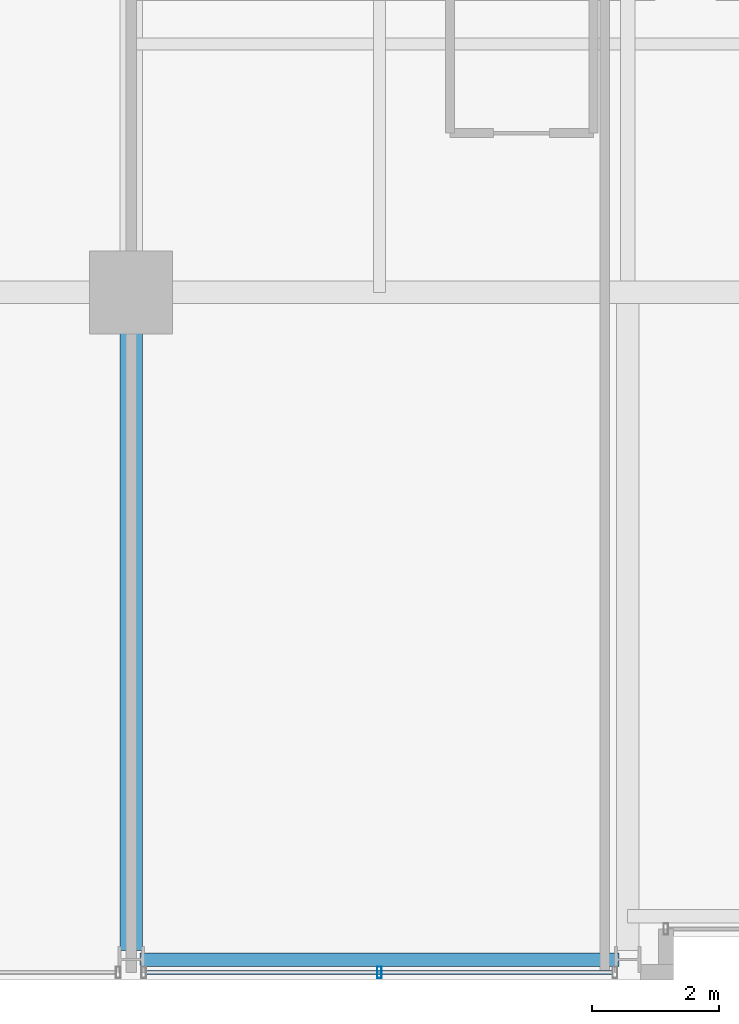
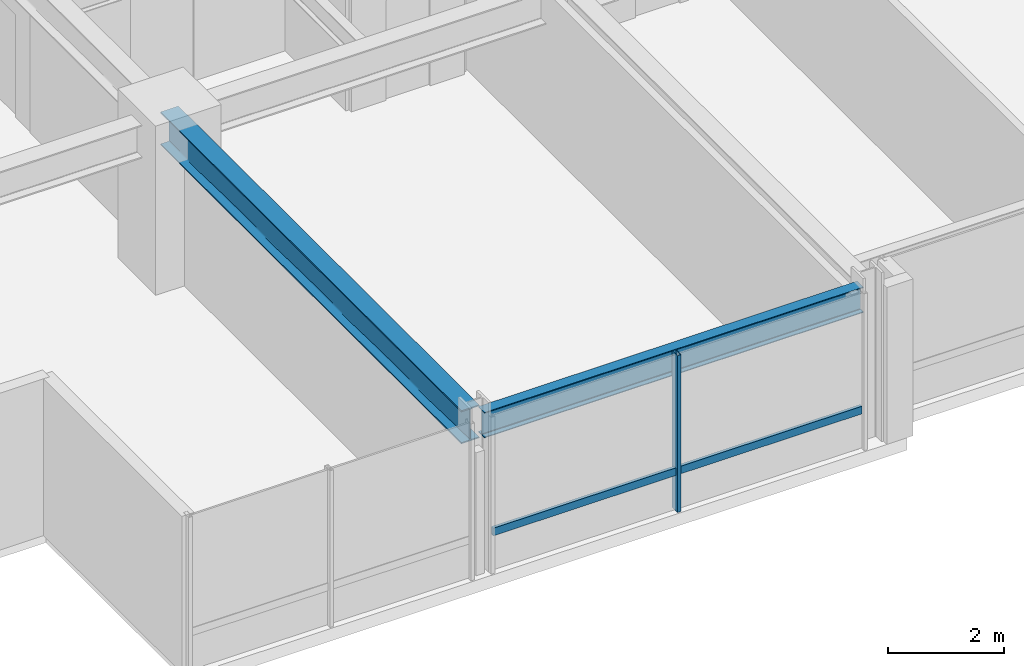
# One storey, part 3 of 34: 2 beams, 2 members, 1 element without a shape of its own.
"""IFC4 building model written with IfcOpenShell, lengths in metres."""

from ifc_helpers import new_model, si_unit, direction, frame, origin, origin_2d, place, context, subcontext, project, spatial, hollow_rectangle, i_section, extrude, material, layer, layer_set, material_profile, profile_set, type_object, element, aggregate, save


model = new_model("IFC4")

# Units and contexts
model_context = context("Model", 3, precision=1e-05, world=origin(), true_north=direction((0.0, 1.0)))
body_context = subcontext(model_context, "Body", "Model", "MODEL_VIEW")
ifc_project = project(units=[si_unit("LENGTHUNIT", "METRE"), si_unit("AREAUNIT", "SQUARE_METRE"), si_unit("VOLUMEUNIT", "CUBIC_METRE"), si_unit("PLANEANGLEUNIT", "RADIAN"), si_unit("MASSUNIT", "GRAM", prefix="KILO")], contexts=[model_context])

# Site, building, storey
site_placement = place(None, origin())
site = spatial("IfcSite", under=ifc_project, at=site_placement, CompositionType="ELEMENT")
building_placement = place(site_placement, origin())
building = spatial("IfcBuilding", under=site, at=building_placement, Name="Drelvath Grand Hotel", CompositionType="ELEMENT")
storey_placement = place(building_placement, frame((0.0, 0.0, 175.25)))
storey = spatial("IfcBuildingStorey", under=building, at=storey_placement, Name="L45", CompositionType="ELEMENT", Elevation=175.25)

# Curtain wall, members
ifc_material_1 = material(Name="Brushed Pale-Silver Anodised Aluminium Frame", Category="aluminium")
ifc_layer = layer(ifc_material_1, 0.199951171875)
ifc_layer_set = layer_set([ifc_layer], Name="Brushed Pale-Silver Anodised Aluminium Frame")
curtain_wall_type = type_object("IfcCurtainWallType", Name="Stick Curtain Wall CW-04 Brushed Silver Upper-Mid", PredefinedType="NOTDEFINED", material=ifc_layer_set)
curtain_wall_placement = place(storey_placement, origin())
curtain_wall = element("IfcCurtainWall", 1, at=curtain_wall_placement, inside=storey, type_object=curtain_wall_type, Name="L45 CW-04 Curtain Wall CW04-L45-SW2", PredefinedType="NOTDEFINED")
ifc_material_profile_1 = material_profile(ifc_material_1, hollow_rectangle(XDim=0.06494140625, YDim=0.159912109375, WallThickness=0.00390625, at=origin_2d()), Name="HSS160X65X4")
ifc_profile_set_1 = profile_set([ifc_material_profile_1], Name="Brushed Pale-Silver Anodised Aluminium Frame")
member_type_1 = type_object("IfcMemberType", Name="Curtain Wall Horizontal Transom CW-04 HSS160X65X4", PredefinedType="USERDEFINED", material=ifc_profile_set_1)
member_1_placement = place(storey_placement, frame((-8.64013671875, 0.1201171875, 0.822509765625), z_axis=(-1.0, 0.0, 0.0), x_axis=(0.0, -1.0, 0.0)))
member_1 = element("IfcMember", 2, at=member_1_placement, type_object=member_type_1, Name="CW04-L45-SW2 Sill Transom", ObjectType="TRANSOM", PredefinedType="USERDEFINED", context=body_context, shape_type="SweptSolid", body=[
    extrude(hollow_rectangle(XDim=0.06494140625, YDim=0.159912109375, WallThickness=0.00390625, at=origin_2d()), origin(), (0.0, 0.0, 1.0), 7.31982421875),
])
ifc_material_profile_2 = material_profile(ifc_material_1, hollow_rectangle(XDim=0.074951171875, YDim=0.179931640625, WallThickness=0.0048828125, at=origin_2d()), Name="HSS180X75X5")
ifc_profile_set_2 = profile_set([ifc_material_profile_2], Name="Brushed Pale-Silver Anodised Aluminium Frame")
member_type_2 = type_object("IfcMemberType", Name="Curtain Wall Vertical Mullion CW-04 HSS180X75X5", PredefinedType="MULLION", material=ifc_profile_set_2)
member_2_placement = place(storey_placement, frame((-12.300048828125, 0.1201171875, 0.0), z_axis=(0.0, 0.0, 1.0), x_axis=(1.0, 0.0, 0.0)))
member_2 = element("IfcMember", 3, at=member_2_placement, type_object=member_type_2, Name="CW04-L45-SW2 Mullion 2", PredefinedType="MULLION", context=body_context, shape_type="SweptSolid", body=[
    extrude(hollow_rectangle(XDim=0.074951171875, YDim=0.179931640625, WallThickness=0.0048828125, at=origin_2d()), origin(), (0.0, 0.0, 1.0), 3.2900390625),
])
aggregate(curtain_wall, [member_2, member_1])

# Beams
ifc_material_2 = material(Name="Steel ASTM A992 Gr 50", Category="steel")
ifc_material_profile_3 = material_profile(ifc_material_2, i_section(OverallWidth=0.210205078125, OverallDepth=0.53662109375, WebThickness=0.010986328125, FlangeThickness=0.017333984375, FilletRadius=0.01806640625, at=origin_2d()), Name="W21X68")
ifc_profile_set_3 = profile_set([ifc_material_profile_3], Name="Steel ASTM A992 Gr 50")
beam_type_1 = type_object("IfcBeamType", Name="Perimeter Spandrel Beam W21X68", PredefinedType="SPANDREL", material=ifc_profile_set_3)
beam_1_placement = place(storey_placement, frame((-16.06005859375, 0.320068359375, 3.021484375), z_axis=(1.0, 0.0, 0.0), x_axis=(0.0, 1.0, 0.0)))
element("IfcBeam", 4, at=beam_1_placement, inside=storey, type_object=beam_type_1, Name="L45 Spandrel South W", PredefinedType="SPANDREL", context=body_context, shape_type="SweptSolid", body=[
    extrude(i_section(OverallWidth=0.210205078125, OverallDepth=0.53662109375, WebThickness=0.010986328125, FlangeThickness=0.017333984375, FilletRadius=0.01806640625, at=origin_2d()), origin(), (0.0, 0.0, 1.0), 7.52001953125),
])
ifc_material_profile_4 = material_profile(ifc_material_2, i_section(OverallWidth=0.354736328125, OverallDepth=0.695556640625, WebThickness=0.015380859375, FlangeThickness=0.025146484375, FilletRadius=0.02392578125, at=origin_2d()), Name="W27X146")
ifc_profile_set_4 = profile_set([ifc_material_profile_4], Name="Steel ASTM A992 Gr 50")
beam_type_2 = type_object("IfcBeamType", Name="Primary Floor Girder W27X146", PredefinedType="BEAM", material=ifc_profile_set_4)
beam_2_placement = place(storey_placement, frame((-16.199951171875, 0.4599609375, 2.9423828125), z_axis=(0.0, 1.0, 0.0), x_axis=(-1.0, 0.0, 0.0)))
element("IfcBeam", 5, at=beam_2_placement, inside=storey, type_object=beam_type_2, Name="L45 South Grid Girder 3", PredefinedType="BEAM", context=body_context, shape_type="SweptSolid", body=[
    extrude(i_section(OverallWidth=0.354736328125, OverallDepth=0.695556640625, WebThickness=0.015380859375, FlangeThickness=0.025146484375, FilletRadius=0.02392578125, at=origin_2d()), origin(), (0.0, 0.0, 1.0), 10.340087890625),
])

save(model, "model.ifc")
